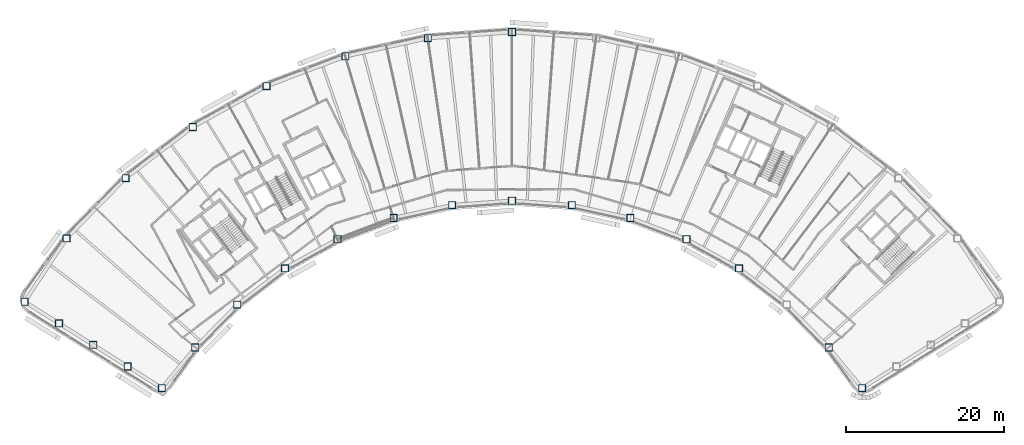
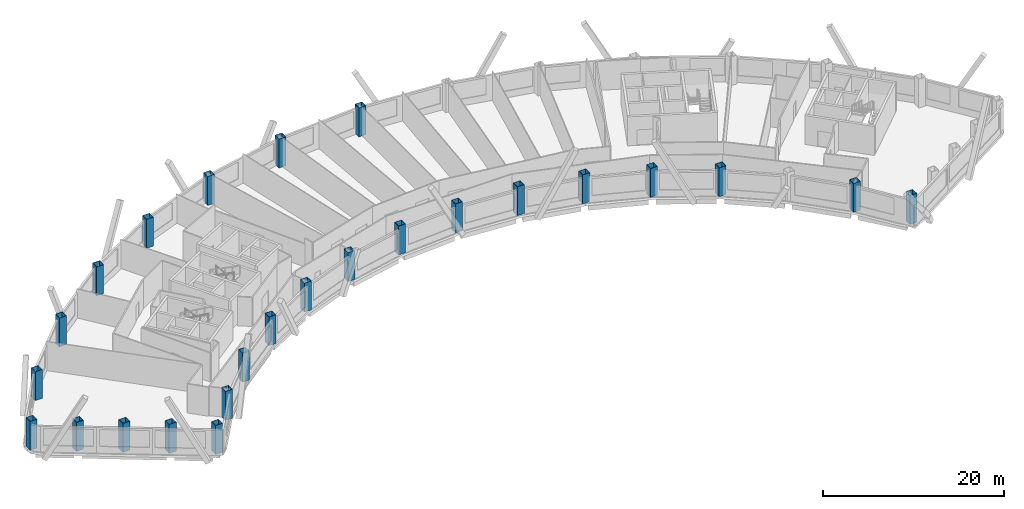
# One storey, part 1 of 13: 25 columns.
"""IFC4 building model written with IfcOpenShell, lengths in metres."""

from ifc_helpers import new_model, si_unit, direction, frame, origin, origin_2d, place, context, subcontext, project, spatial, hollow_rectangle, extrude, material, material_profile, profile_set, type_object, element, save


model = new_model("IFC4")

# Units and contexts
model_context = context("Model", 3, precision=1e-05, world=origin(), true_north=direction((0.0, 1.0)))
body_context = subcontext(model_context, "Body", "Model", "MODEL_VIEW")
ifc_project = project(units=[si_unit("LENGTHUNIT", "METRE"), si_unit("AREAUNIT", "SQUARE_METRE"), si_unit("VOLUMEUNIT", "CUBIC_METRE"), si_unit("PLANEANGLEUNIT", "RADIAN"), si_unit("MASSUNIT", "GRAM", prefix="KILO")], contexts=[model_context])

# Site, building, storey
site_placement = place(None, origin())
site = spatial("IfcSite", under=ifc_project, at=site_placement, CompositionType="ELEMENT")
building_placement = place(site_placement, origin())
building = spatial("IfcBuilding", under=site, at=building_placement, Name="Tuul Gate Civic Tower", CompositionType="ELEMENT")
storey_placement = place(building_placement, frame((0.0, 0.0, 188.89990234375)))
storey = spatial("IfcBuildingStorey", under=building, at=storey_placement, Name="Level 43", CompositionType="ELEMENT", Elevation=188.89990234375)

# Columns
ifc_material = material(Name="Steel S355", Category="steel")
ifc_material_profile = material_profile(ifc_material, hollow_rectangle(XDim=0.89990234375, YDim=0.89990234375, WallThickness=0.031982421875, at=origin_2d()), Name="BOX900x900x32")
ifc_profile_set = profile_set([ifc_material_profile], Name="Steel S355")
column_type = type_object("IfcColumnType", Name="STR-COLUMN-BOX900x900x32", PredefinedType="COLUMN", material=ifc_profile_set)
for number, where, z_axis, x_axis, name in (
    (1, (0.989990234375, 13.615966796875, 0.0), (0.0, 0.0, 1.0), (1.0, 0.0, 0.0), "Column"),
    (2, (-9.659912109375, 12.843994140625, 0.0), (0.0, 0.0, 1.0), (1.0, 0.0, 0.0), "Column"),
    (3, (-20.0869140625, 10.5458984375, 0.0), (0.0, 0.0, 1.0), (1.0, 0.0, 0.0), "Column"),
    (4, (-30.073974609375, 6.77001953125, 0.0), (0.0, 0.0, 1.0), (1.0, 0.0, 0.0), "Column"),
    (5, (-39.412109375, 1.593017578125, 0.0), (0.0, 0.0, 1.0), (1.0, 0.0, 0.0), "Column"),
    (6, (-47.907958984375, -4.875, 0.0), (0.0, 0.0, 1.0), (1.0, 0.0, 0.0), "Column"),
    (7, (-55.382080078125, -12.5, 0.0), (0.0, 0.0, 1.0), (1.0, 0.0, 0.0), "Column"),
    (8, (-60.680908203125, -20.512939453125, 0.0), (0.0, 0.0, 1.0), (1.0, 0.0, 0.0), "Column"),
    (9, (-56.339111328125, -23.2470703125, 0.0), (0.0, 0.0, 1.0), (1.0, 0.0, 0.0), "Column"),
    (10, (-51.99609375, -25.98193359375, 0.0), (0.0, 0.0, 1.0), (1.0, 0.0, 0.0), "Column"),
    (11, (-47.654052734375, -28.716064453125, 0.0), (0.0, 0.0, 1.0), (1.0, 0.0, 0.0), "Column"),
    (12, (-43.31103515625, -31.450927734375, 0.0), (0.0, 0.0, 1.0), (1.0, 0.0, 0.0), "Column"),
    (13, (-39.091064453125, -26.30908203125, 0.0), (0.0, 0.0, 1.0), (1.0, 0.0, 0.0), "Column"),
    (14, (-33.777099609375, -20.886962890625, 0.0), (0.0, 0.0, 1.0), (1.0, 0.0, 0.0), "Column"),
    (15, (-27.737060546875, -16.2880859375, 0.0), (0.0, 0.0, 1.0), (1.0, 0.0, 0.0), "Column"),
    (16, (-21.096923828125, -12.60791015625, 0.0), (0.0, 0.0, 1.0), (1.0, 0.0, 0.0), "Column"),
    (17, (-13.99609375, -9.923095703125, 0.0), (0.0, 0.0, 1.0), (1.0, 0.0, 0.0), "Column"),
    (18, (-6.58203125, -8.2890625, 0.0), (0.0, 0.0, 1.0), (1.0, 0.0, 0.0), "Column"),
    (19, (0.989990234375, -7.739990234375, 0.0), (0.0, 0.0, 1.0), (1.0, 0.0, 0.0), "Column"),
    (20, (8.56201171875, -8.2890625, 0.0), (0.0, 0.0, 1.0), (1.0, 0.0, 0.0), "Column"),
    (21, (15.97607421875, -9.923095703125, 0.0), (0.0, 0.0, 1.0), (1.0, 0.0, 0.0), "Column"),
    (22, (23.076904296875, -12.60791015625, 0.0), (0.0, 0.0, 1.0), (1.0, 0.0, 0.0), "Column"),
    (23, (29.716064453125, -16.2880859375, 0.0), (0.0, 0.0, 1.0), (1.0, 0.0, 0.0), "Column"),
    (24, (41.071044921875, -26.30908203125, 0.0), (0.0, 0.0, 1.0), (1.0, 0.0, 0.0), "Column"),
    (25, (45.291015625, -31.450927734375, 0.0), (0.0, 0.0, 1.0), (1.0, 0.0, 0.0), "Column"),
):
    element("IfcColumn", number, at=place(storey_placement, frame(where, z_axis=z_axis, x_axis=x_axis)), inside=storey, type_object=column_type, Name=name, PredefinedType="COLUMN", context=body_context, shape_type="SweptSolid", body=[
        extrude(hollow_rectangle(XDim=0.89990234375, YDim=0.89990234375, WallThickness=0.031982421875, at=origin_2d()), origin(), (0.0, 0.0, 1.0), 3.900146484375),
    ])

save(model, "model.ifc")
